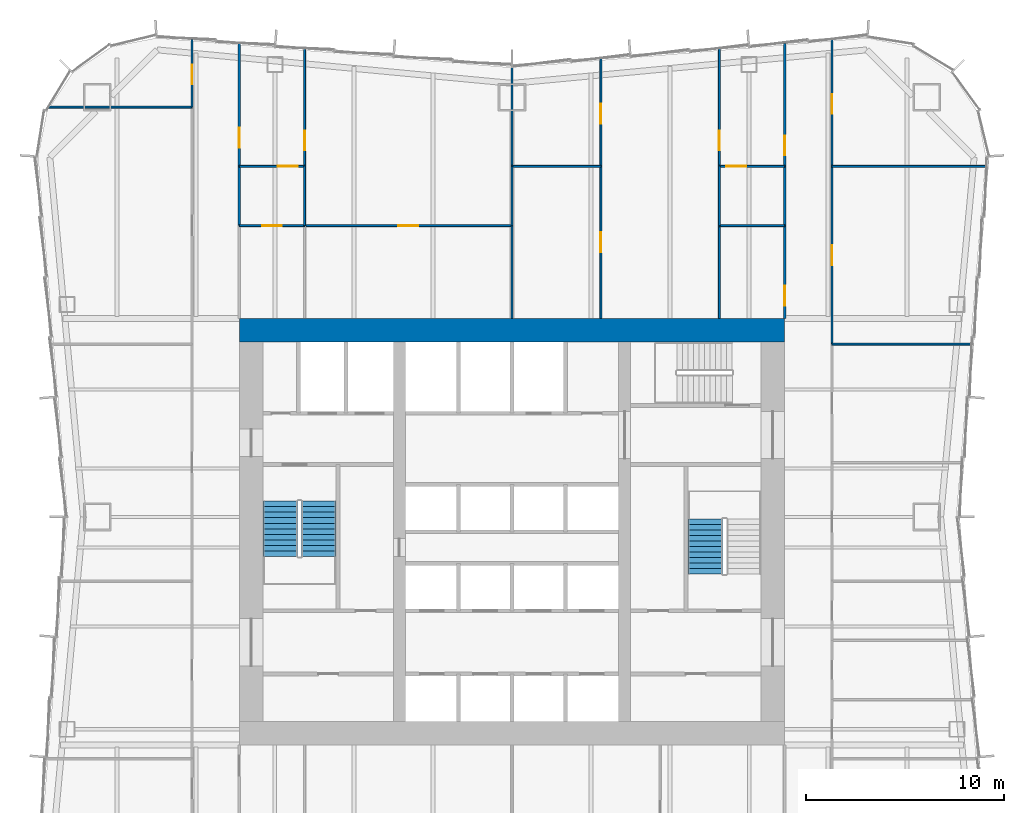
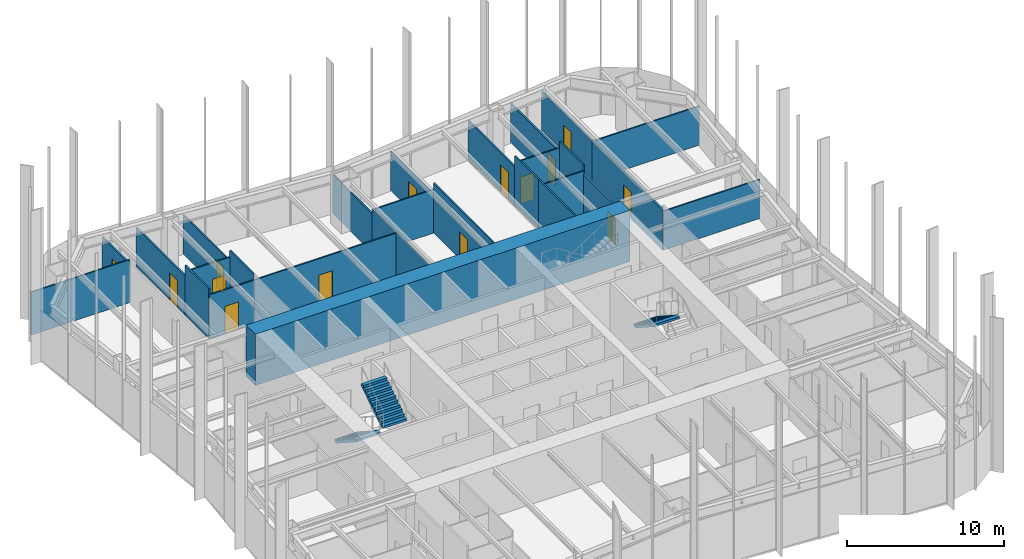
# One storey, part 11 of 13: 28 walls, 14 doors, 3 stair flights, 14 openings, 2 elements without a shape of their own.
"""IFC4 building model written with IfcOpenShell, lengths in metres."""

from ifc_helpers import new_model, si_unit, direction, frame, frame_2d, origin, place, context, subcontext, project, spatial, polyline, rectangle, outline, extrude, material, layer, layer_set, type_object, element, fill, aggregate, save


model = new_model("IFC4")

# Units and contexts
model_context = context("Model", 3, precision=1e-05, world=origin(), true_north=direction((0.0, 1.0)))
body_context = subcontext(model_context, "Body", "Model", "MODEL_VIEW")
ifc_project = project(units=[si_unit("LENGTHUNIT", "METRE"), si_unit("AREAUNIT", "SQUARE_METRE"), si_unit("VOLUMEUNIT", "CUBIC_METRE"), si_unit("PLANEANGLEUNIT", "RADIAN"), si_unit("MASSUNIT", "GRAM", prefix="KILO")], contexts=[model_context])

# Site, building, storey
site_placement = place(None, origin())
site = spatial("IfcSite", under=ifc_project, at=site_placement, CompositionType="ELEMENT")
building_placement = place(site_placement, origin())
building = spatial("IfcBuilding", under=site, at=building_placement, Name="Verdant Reach Tower", CompositionType="ELEMENT")
storey_placement = place(building_placement, frame((0.0, 0.0, 82.0)))
storey = spatial("IfcBuildingStorey", under=building, at=storey_placement, Name="L18", CompositionType="ELEMENT", Elevation=82.0)

# Walls
ifc_material_1 = material(Name="Gypsum board on steel studs", Category="steel")
ifc_layer_1 = layer(ifc_material_1, 0.10009765625)
ifc_layer_set_1 = layer_set([ifc_layer_1], Name="FL-W1 Partition 100")
wall_type_1 = type_object("IfcWallType", Name="FL-W1 Partition 100", PredefinedType="PARTITIONING", material=ifc_layer_set_1)
wall_1_placement = place(storey_placement, frame((-16.199951171875, 49.5, 0.0), z_axis=(0.0, 0.0, 1.0), x_axis=(-1.0, 0.0, 0.0)))
element("IfcWall", 1, at=wall_1_placement, inside=storey, type_object=wall_type_1, Name="Partition 18.32", PredefinedType="PARTITIONING", context=body_context, shape_type="SweptSolid", body=[
    extrude(rectangle(XDim=7.287109375, YDim=0.10009765625, at=frame_2d((3.6435546875, 0.0))), origin(), (0.0, 0.0, 1.0), 3.340087890625),
])
wall_2_placement = place(storey_placement, frame((23.29931640625, 37.5, 0.0), z_axis=(0.0, 0.0, 1.0), x_axis=(-1.0, 0.0, 0.0)))
element("IfcWall", 2, at=wall_2_placement, inside=storey, type_object=wall_type_1, Name="Partition 18.39", PredefinedType="PARTITIONING", context=body_context, shape_type="SweptSolid", body=[
    extrude(rectangle(XDim=7.099365234375, YDim=0.10009765625, at=frame_2d((3.5498046875, 0.0))), origin(), (0.0, 0.0, 1.0), 3.0400390625),
])
wall_3_placement = place(storey_placement, frame((24.038818359375, 46.5, 0.0), z_axis=(0.0, 0.0, 1.0), x_axis=(-1.0, 0.0, 0.0)))
element("IfcWall", 3, at=wall_3_placement, inside=storey, type_object=wall_type_1, Name="Partition 18.40", PredefinedType="PARTITIONING", context=body_context, shape_type="SweptSolid", body=[
    extrude(rectangle(XDim=7.8388671875, YDim=0.10009765625, at=frame_2d((3.91943359375, 0.0))), origin(), (0.0, 0.0, 1.0), 3.0400390625),
])

# Wall, opening, door
wall_4_placement = place(storey_placement, frame((-10.5, 43.5, 0.0), z_axis=(0.0, 0.0, 1.0), x_axis=(-1.0, 0.0, 0.0)))
wall_4 = element("IfcWall", 4, at=wall_4_placement, inside=storey, type_object=wall_type_1, Name="Partition 18.56", PredefinedType="PARTITIONING", context=body_context, shape_type="SweptSolid", body=[
    extrude(rectangle(XDim=3.300048828125, YDim=0.10009765625, at=frame_2d((1.64990234375, 0.0))), origin(), (0.0, 0.0, 1.0), 3.389892578125),
])
opening_1_placement = place(wall_4_placement, frame((1.14990234375, 0.0, 0.0)))
opening_1 = element("IfcOpeningElement", 5, at=opening_1_placement, cuts=wall_4, Name="Opening D3", PredefinedType="OPENING", context=body_context, shape_type="SweptSolid", body=[
    extrude(rectangle(XDim=1.0, YDim=2.10009765625, at=frame_2d((0.5, 1.050048828125))), frame((0.0, 0.06005859375, 0.0), z_axis=(0.0, -1.0, 0.0), x_axis=(1.0, 0.0, 0.0)), (0.0, 0.0, 1.0), 0.1201171875),
])
ifc_material_2 = material(Name="Painted timber door leaf", Category="wood")
door_type_1 = type_object("IfcDoorType", Name="FL-D3 Door 1000x2100", OperationType="NOTDEFINED", PredefinedType="DOOR", material=ifc_material_2)
door_1_placement = place(opening_1_placement, origin())
door_1 = element("IfcDoor", 6, at=door_1_placement, inside=storey, type_object=door_type_1, Name="Door 18-029", OperationType="SINGLE_SWING_LEFT", OverallHeight=2.10009765625, OverallWidth=1.0, PredefinedType="DOOR", context=body_context, shape_type="SweptSolid", body=[
    extrude(rectangle(XDim=1.0, YDim=2.10009765625, at=frame_2d((0.5, 1.050048828125))), frame((0.0, 0.02490234375, 0.0), z_axis=(0.0, -1.0, 0.0), x_axis=(1.0, 0.0, 0.0)), (0.0, 0.0, 1.0), 0.050048828125),
])
fill(opening_1, door_1)

wall_5_placement = place(storey_placement, frame((-10.5, 46.5, 0.0), z_axis=(0.0, 0.0, 1.0), x_axis=(-1.0, 0.0, 0.0)))
wall_5 = element("IfcWall", 7, at=wall_5_placement, inside=storey, type_object=wall_type_1, Name="Partition 18.58", PredefinedType="PARTITIONING", context=body_context, shape_type="SweptSolid", body=[
    extrude(rectangle(XDim=3.300048828125, YDim=0.10009765625, at=frame_2d((1.64990234375, 0.0))), origin(), (0.0, 0.0, 1.0), 3.389892578125),
])
opening_2_placement = place(wall_5_placement, frame((0.35009765625, 0.0, 0.0)))
opening_2 = element("IfcOpeningElement", 8, at=opening_2_placement, cuts=wall_5, Name="Opening D3", PredefinedType="OPENING", context=body_context, shape_type="SweptSolid", body=[
    extrude(rectangle(XDim=1.0, YDim=2.10009765625, at=frame_2d((0.5, 1.050048828125))), frame((0.0, 0.06005859375, 0.0), z_axis=(0.0, -1.0, 0.0), x_axis=(1.0, 0.0, 0.0)), (0.0, 0.0, 1.0), 0.1201171875),
])
door_2_placement = place(opening_2_placement, origin())
door_2 = element("IfcDoor", 9, at=door_2_placement, inside=storey, type_object=door_type_1, Name="Door 18-030", OperationType="SINGLE_SWING_LEFT", OverallHeight=2.10009765625, OverallWidth=1.0, PredefinedType="DOOR", context=body_context, shape_type="SweptSolid", body=[
    extrude(rectangle(XDim=1.0, YDim=2.10009765625, at=frame_2d((0.5, 1.050048828125))), frame((0.0, 0.02490234375, 0.0), z_axis=(0.0, -1.0, 0.0), x_axis=(1.0, 0.0, 0.0)), (0.0, 0.0, 1.0), 0.050048828125),
])
fill(opening_2, door_2)

# Wall
wall_6_placement = place(storey_placement, frame((-10.5, 43.5, 0.0), z_axis=(0.0, 0.0, 1.0), x_axis=(0.0, 1.0, 0.0)))
element("IfcWall", 10, at=wall_6_placement, inside=storey, type_object=wall_type_1, Name="Partition 18.59", PredefinedType="PARTITIONING", context=body_context, shape_type="SweptSolid", body=[
    extrude(rectangle(XDim=3.00390625, YDim=0.10009765625, at=frame_2d((1.501953125, 0.0))), origin(), (0.0, 0.0, 1.0), 3.8701171875),
])

# Wall, opening, door
wall_7_placement = place(storey_placement, frame((-10.5, 52.455078125, 0.0), z_axis=(0.0, 0.0, 1.0), x_axis=(0.0, -1.0, 0.0)))
wall_7 = element("IfcWall", 11, at=wall_7_placement, inside=storey, type_object=wall_type_1, Name="Partition 18.60", PredefinedType="PARTITIONING", context=body_context, shape_type="SweptSolid", body=[
    extrude(rectangle(XDim=5.958984375, YDim=0.10009765625, at=frame_2d((2.9794921875, 0.0))), origin(), (0.0, 0.0, 1.0), 3.0400390625),
])
opening_3_placement = place(wall_7_placement, frame((4.14453125, 0.0, 0.0)))
opening_3 = element("IfcOpeningElement", 12, at=opening_3_placement, cuts=wall_7, Name="Opening D3", PredefinedType="OPENING", context=body_context, shape_type="SweptSolid", body=[
    extrude(rectangle(XDim=1.0, YDim=2.10009765625, at=frame_2d((0.5, 1.050048828125))), frame((0.0, 0.06005859375, 0.0), z_axis=(0.0, -1.0, 0.0), x_axis=(1.0, 0.0, 0.0)), (0.0, 0.0, 1.0), 0.1201171875),
])
door_3_placement = place(opening_3_placement, origin())
door_3 = element("IfcDoor", 13, at=door_3_placement, inside=storey, type_object=door_type_1, Name="Door 18-031", OperationType="SINGLE_SWING_RIGHT", OverallHeight=2.10009765625, OverallWidth=1.0, PredefinedType="DOOR", context=body_context, shape_type="SweptSolid", body=[
    extrude(rectangle(XDim=1.0, YDim=2.10009765625, at=frame_2d((0.5, 1.050048828125))), frame((0.0, 0.02490234375, 0.0), z_axis=(0.0, -1.0, 0.0), x_axis=(1.0, 0.0, 0.0)), (0.0, 0.0, 1.0), 0.050048828125),
])
fill(opening_3, door_3)

wall_8_placement = place(storey_placement, frame((0.0, 43.5, 0.0), z_axis=(0.0, 0.0, 1.0), x_axis=(-1.0, 0.0, 0.0)))
wall_8 = element("IfcWall", 14, at=wall_8_placement, inside=storey, type_object=wall_type_1, Name="Partition 18.61", PredefinedType="PARTITIONING", context=body_context, shape_type="SweptSolid", body=[
    extrude(rectangle(XDim=10.5, YDim=0.10009765625, at=frame_2d((5.25, 0.0))), origin(), (0.0, 0.0, 1.0), 3.389892578125),
])
opening_4_placement = place(wall_8_placement, frame((4.75, 0.0, 0.0)))
opening_4 = element("IfcOpeningElement", 15, at=opening_4_placement, cuts=wall_8, Name="Opening D3", PredefinedType="OPENING", context=body_context, shape_type="SweptSolid", body=[
    extrude(rectangle(XDim=1.0, YDim=2.10009765625, at=frame_2d((0.5, 1.050048828125))), frame((0.0, 0.06005859375, 0.0), z_axis=(0.0, -1.0, 0.0), x_axis=(1.0, 0.0, 0.0)), (0.0, 0.0, 1.0), 0.1201171875),
])
door_4_placement = place(opening_4_placement, origin())
door_4 = element("IfcDoor", 16, at=door_4_placement, inside=storey, type_object=door_type_1, Name="Door 18-032", OperationType="SINGLE_SWING_RIGHT", OverallHeight=2.10009765625, OverallWidth=1.0, PredefinedType="DOOR", context=body_context, shape_type="SweptSolid", body=[
    extrude(rectangle(XDim=1.0, YDim=2.10009765625, at=frame_2d((0.5, 1.050048828125))), frame((0.0, 0.02490234375, 0.0), z_axis=(0.0, -1.0, 0.0), x_axis=(1.0, 0.0, 0.0)), (0.0, 0.0, 1.0), 0.050048828125),
])
fill(opening_4, door_4)

# Walls
wall_9_placement = place(storey_placement, frame((0.0, 38.800048828125, 0.0), z_axis=(0.0, 0.0, 1.0), x_axis=(0.0, 1.0, 0.0)))
element("IfcWall", 17, at=wall_9_placement, inside=storey, type_object=wall_type_1, Name="Partition 18.62", PredefinedType="PARTITIONING", context=body_context, shape_type="SweptSolid", body=[
    extrude(rectangle(XDim=4.703857421875, YDim=0.10009765625, at=frame_2d((2.35205078125, 0.0))), origin(), (0.0, 0.0, 1.0), 3.43994140625),
])
wall_10_placement = place(storey_placement, frame((0.0, 43.49609375, 0.0), z_axis=(0.0, 0.0, 1.0), x_axis=(0.0, 1.0, 0.0)))
element("IfcWall", 18, at=wall_10_placement, inside=storey, type_object=wall_type_1, Name="Partition 18.63", PredefinedType="PARTITIONING", context=body_context, shape_type="SweptSolid", body=[
    extrude(rectangle(XDim=3.00390625, YDim=0.10009765625, at=frame_2d((1.501953125, 0.0))), origin(), (0.0, 0.0, 1.0), 3.43994140625),
])
wall_11_placement = place(storey_placement, frame((0.0, 46.5, 0.0), z_axis=(0.0, 0.0, 1.0), x_axis=(0.0, 1.0, 0.0)))
element("IfcWall", 19, at=wall_11_placement, inside=storey, type_object=wall_type_1, Name="Partition 18.64", PredefinedType="PARTITIONING", context=body_context, shape_type="SweptSolid", body=[
    extrude(rectangle(XDim=5.080078125, YDim=0.10009765625, at=frame_2d((2.5400390625, 0.0))), origin(), (0.0, 0.0, 1.0), 3.0400390625),
])
wall_12_placement = place(storey_placement, frame((13.800048828125, 43.5, 0.0), z_axis=(0.0, 0.0, 1.0), x_axis=(-1.0, 0.0, 0.0)))
element("IfcWall", 20, at=wall_12_placement, inside=storey, type_object=wall_type_1, Name="Partition 18.65", PredefinedType="PARTITIONING", context=body_context, shape_type="SweptSolid", body=[
    extrude(rectangle(XDim=3.300048828125, YDim=0.10009765625, at=frame_2d((1.64990234375, 0.0))), origin(), (0.0, 0.0, 1.0), 3.389892578125),
])
wall_13_placement = place(storey_placement, frame((10.5, 43.50390625, 0.0), z_axis=(0.0, 0.0, 1.0), x_axis=(0.0, -1.0, 0.0)))
element("IfcWall", 21, at=wall_13_placement, inside=storey, type_object=wall_type_1, Name="Partition 18.66", PredefinedType="PARTITIONING", context=body_context, shape_type="SweptSolid", body=[
    extrude(rectangle(XDim=4.703857421875, YDim=0.10009765625, at=frame_2d((2.35205078125, 0.0))), origin(), (0.0, 0.0, 1.0), 3.8701171875),
])

# Wall, opening, door
wall_14_placement = place(storey_placement, frame((13.800048828125, 46.5, 0.0), z_axis=(0.0, 0.0, 1.0), x_axis=(-1.0, 0.0, 0.0)))
wall_14 = element("IfcWall", 22, at=wall_14_placement, inside=storey, type_object=wall_type_1, Name="Partition 18.67", PredefinedType="PARTITIONING", context=body_context, shape_type="SweptSolid", body=[
    extrude(rectangle(XDim=3.300048828125, YDim=0.10009765625, at=frame_2d((1.64990234375, 0.0))), origin(), (0.0, 0.0, 1.0), 3.389892578125),
])
opening_5_placement = place(wall_14_placement, frame((1.949951171875, 0.0, 0.0)))
opening_5 = element("IfcOpeningElement", 23, at=opening_5_placement, cuts=wall_14, Name="Opening D3", PredefinedType="OPENING", context=body_context, shape_type="SweptSolid", body=[
    extrude(rectangle(XDim=1.0, YDim=2.10009765625, at=frame_2d((0.5, 1.050048828125))), frame((0.0, 0.06005859375, 0.0), z_axis=(0.0, -1.0, 0.0), x_axis=(1.0, 0.0, 0.0)), (0.0, 0.0, 1.0), 0.1201171875),
])
door_5_placement = place(opening_5_placement, origin())
door_5 = element("IfcDoor", 24, at=door_5_placement, inside=storey, type_object=door_type_1, Name="Door 18-033", OperationType="SINGLE_SWING_RIGHT", OverallHeight=2.10009765625, OverallWidth=1.0, PredefinedType="DOOR", context=body_context, shape_type="SweptSolid", body=[
    extrude(rectangle(XDim=1.0, YDim=2.10009765625, at=frame_2d((0.5, 1.050048828125))), frame((0.0, 0.02490234375, 0.0), z_axis=(0.0, -1.0, 0.0), x_axis=(1.0, 0.0, 0.0)), (0.0, 0.0, 1.0), 0.050048828125),
])
fill(opening_5, door_5)

# Wall
wall_15_placement = place(storey_placement, frame((10.5, 46.50390625, 0.0), z_axis=(0.0, 0.0, 1.0), x_axis=(0.0, -1.0, 0.0)))
element("IfcWall", 25, at=wall_15_placement, inside=storey, type_object=wall_type_1, Name="Partition 18.68", PredefinedType="PARTITIONING", context=body_context, shape_type="SweptSolid", body=[
    extrude(rectangle(XDim=3.0078125, YDim=0.10009765625, at=frame_2d((1.50390625, 0.0))), origin(), (0.0, 0.0, 1.0), 3.8701171875),
])

# Wall, opening, door
wall_16_placement = place(storey_placement, frame((10.5, 46.49609375, 0.0), z_axis=(0.0, 0.0, 1.0), x_axis=(0.0, 1.0, 0.0)))
wall_16 = element("IfcWall", 26, at=wall_16_placement, inside=storey, type_object=wall_type_1, Name="Partition 18.69", PredefinedType="PARTITIONING", context=body_context, shape_type="SweptSolid", body=[
    extrude(rectangle(XDim=5.958984375, YDim=0.10009765625, at=frame_2d((2.9794921875, 0.0))), origin(), (0.0, 0.0, 1.0), 3.0400390625),
])
opening_6_placement = place(wall_16_placement, frame((0.814453125, 0.0, 0.0)))
opening_6 = element("IfcOpeningElement", 27, at=opening_6_placement, cuts=wall_16, Name="Opening D3", PredefinedType="OPENING", context=body_context, shape_type="SweptSolid", body=[
    extrude(rectangle(XDim=1.0, YDim=2.10009765625, at=frame_2d((0.5, 1.050048828125))), frame((0.0, 0.06005859375, 0.0), z_axis=(0.0, -1.0, 0.0), x_axis=(1.0, 0.0, 0.0)), (0.0, 0.0, 1.0), 0.1201171875),
])
door_6_placement = place(opening_6_placement, origin())
door_6 = element("IfcDoor", 28, at=door_6_placement, inside=storey, type_object=door_type_1, Name="Door 18-034", OperationType="SINGLE_SWING_LEFT", OverallHeight=2.10009765625, OverallWidth=1.0, PredefinedType="DOOR", context=body_context, shape_type="SweptSolid", body=[
    extrude(rectangle(XDim=1.0, YDim=2.10009765625, at=frame_2d((0.5, 1.050048828125))), frame((0.0, 0.02490234375, 0.0), z_axis=(0.0, -1.0, 0.0), x_axis=(1.0, 0.0, 0.0)), (0.0, 0.0, 1.0), 0.050048828125),
])
fill(opening_6, door_6)

wall_17_placement = place(storey_placement, frame((4.5, 38.800048828125, 0.0), z_axis=(0.0, 0.0, 1.0), x_axis=(0.0, 1.0, 0.0)))
wall_17 = element("IfcWall", 29, at=wall_17_placement, inside=storey, type_object=wall_type_1, Name="Partition 18.70", PredefinedType="PARTITIONING", context=body_context, shape_type="SweptSolid", body=[
    extrude(rectangle(XDim=7.699951171875, YDim=0.10009765625, at=frame_2d((3.85009765625, 0.0))), origin(), (0.0, 0.0, 1.0), 3.8701171875),
])
opening_7_placement = place(wall_17_placement, frame((3.35009765625, 0.0, 0.0)))
opening_7 = element("IfcOpeningElement", 30, at=opening_7_placement, cuts=wall_17, Name="Opening D3", PredefinedType="OPENING", context=body_context, shape_type="SweptSolid", body=[
    extrude(rectangle(XDim=1.0, YDim=2.10009765625, at=frame_2d((0.5, 1.050048828125))), frame((0.0, 0.06005859375, 0.0), z_axis=(0.0, -1.0, 0.0), x_axis=(1.0, 0.0, 0.0)), (0.0, 0.0, 1.0), 0.1201171875),
])
door_7_placement = place(opening_7_placement, origin())
door_7 = element("IfcDoor", 31, at=door_7_placement, inside=storey, type_object=door_type_1, Name="Door 18-035", OperationType="SINGLE_SWING_LEFT", OverallHeight=2.10009765625, OverallWidth=1.0, PredefinedType="DOOR", context=body_context, shape_type="SweptSolid", body=[
    extrude(rectangle(XDim=1.0, YDim=2.10009765625, at=frame_2d((0.5, 1.050048828125))), frame((0.0, 0.02490234375, 0.0), z_axis=(0.0, -1.0, 0.0), x_axis=(1.0, 0.0, 0.0)), (0.0, 0.0, 1.0), 0.050048828125),
])
fill(opening_7, door_7)

wall_18_placement = place(storey_placement, frame((4.5, 46.5, 0.0), z_axis=(0.0, 0.0, 1.0), x_axis=(0.0, 1.0, 0.0)))
wall_18 = element("IfcWall", 32, at=wall_18_placement, inside=storey, type_object=wall_type_1, Name="Partition 18.71", PredefinedType="PARTITIONING", context=body_context, shape_type="SweptSolid", body=[
    extrude(rectangle(XDim=5.455078125, YDim=0.10009765625, at=frame_2d((2.7275390625, 0.0))), origin(), (0.0, 0.0, 1.0), 3.0400390625),
])
opening_8_placement = place(wall_18_placement, frame((2.162353515625, 0.0, 0.0)))
opening_8 = element("IfcOpeningElement", 33, at=opening_8_placement, cuts=wall_18, Name="Opening D3", PredefinedType="OPENING", context=body_context, shape_type="SweptSolid", body=[
    extrude(rectangle(XDim=1.0, YDim=2.10009765625, at=frame_2d((0.5, 1.050048828125))), frame((0.0, 0.06005859375, 0.0), z_axis=(0.0, -1.0, 0.0), x_axis=(1.0, 0.0, 0.0)), (0.0, 0.0, 1.0), 0.1201171875),
])
door_8_placement = place(opening_8_placement, origin())
door_8 = element("IfcDoor", 34, at=door_8_placement, inside=storey, type_object=door_type_1, Name="Door 18-036", OperationType="SINGLE_SWING_LEFT", OverallHeight=2.10009765625, OverallWidth=1.0, PredefinedType="DOOR", context=body_context, shape_type="SweptSolid", body=[
    extrude(rectangle(XDim=1.0, YDim=2.10009765625, at=frame_2d((0.5, 1.050048828125))), frame((0.0, 0.02490234375, 0.0), z_axis=(0.0, -1.0, 0.0), x_axis=(1.0, 0.0, 0.0)), (0.0, 0.0, 1.0), 0.050048828125),
])
fill(opening_8, door_8)

# Wall
wall_19_placement = place(storey_placement, frame((4.5, 46.5, 0.0), z_axis=(0.0, 0.0, 1.0), x_axis=(-1.0, 0.0, 0.0)))
element("IfcWall", 35, at=wall_19_placement, inside=storey, type_object=wall_type_1, Name="Partition 18.72", PredefinedType="PARTITIONING", context=body_context, shape_type="SweptSolid", body=[
    extrude(rectangle(XDim=4.5, YDim=0.10009765625, at=frame_2d((2.25, 0.0))), origin(), (0.0, 0.0, 1.0), 3.389892578125),
])

# Wall, opening, door
ifc_material_3 = material(Name="Gypsum board on steel studs, fire rated", Category="steel")
ifc_layer_2 = layer(ifc_material_3, 0.125)
ifc_layer_set_2 = layer_set([ifc_layer_2], Name="FL-W2 Corridor wall 125")
wall_type_2 = type_object("IfcWallType", Name="FL-W2 Corridor wall 125", PredefinedType="PARTITIONING", material=ifc_layer_set_2)
wall_20_placement = place(storey_placement, frame((-16.199951171875, 49.5, 0.0), z_axis=(0.0, 0.0, 1.0), x_axis=(0.0, 1.0, 0.0)))
wall_20 = element("IfcWall", 36, at=wall_20_placement, inside=storey, type_object=wall_type_2, Name="Partition 18.06", PredefinedType="PARTITIONING", context=body_context, shape_type="SweptSolid", body=[
    extrude(rectangle(XDim=3.429931640625, YDim=0.125, at=frame_2d((1.71484375, 0.0))), origin(), (0.0, 0.0, 1.0), 3.0400390625),
])
opening_9_placement = place(wall_20_placement, frame((1.14990234375, 0.0, 0.0)))
opening_9 = element("IfcOpeningElement", 37, at=opening_9_placement, cuts=wall_20, Name="Opening D2", PredefinedType="OPENING", context=body_context, shape_type="SweptSolid", body=[
    extrude(rectangle(XDim=1.0, YDim=2.10009765625, at=frame_2d((0.5, 1.050048828125))), frame((0.0, 0.072509765625, 0.0), z_axis=(0.0, -1.0, 0.0), x_axis=(1.0, 0.0, 0.0)), (0.0, 0.0, 1.0), 0.14501953125),
])
ifc_material_4 = material(Name="Timber door leaf, fire rated", Category="wood")
door_type_2 = type_object("IfcDoorType", Name="FL-D2 Entrance door 1000x2100 FD30", OperationType="NOTDEFINED", PredefinedType="DOOR", material=ifc_material_4)
door_9_placement = place(opening_9_placement, origin())
door_9 = element("IfcDoor", 38, at=door_9_placement, inside=storey, type_object=door_type_2, Name="Door 18-006", OperationType="SINGLE_SWING_LEFT", OverallHeight=2.10009765625, OverallWidth=1.0, PredefinedType="DOOR", context=body_context, shape_type="SweptSolid", body=[
    extrude(rectangle(XDim=1.0, YDim=2.10009765625, at=frame_2d((0.5, 1.050048828125))), frame((0.0, 0.02490234375, 0.0), z_axis=(0.0, -1.0, 0.0), x_axis=(1.0, 0.0, 0.0)), (0.0, 0.0, 1.0), 0.050048828125),
])
fill(opening_9, door_9)

# Wall
wall_21_placement = place(storey_placement, frame((-13.800048828125, 43.5, 0.0), z_axis=(0.0, 0.0, 1.0), x_axis=(0.0, 1.0, 0.0)))
element("IfcWall", 39, at=wall_21_placement, inside=storey, type_object=wall_type_2, Name="Partition 18.11", PredefinedType="PARTITIONING", context=body_context, shape_type="SweptSolid", body=[
    extrude(rectangle(XDim=3.0, YDim=0.125, at=frame_2d((1.5, 0.0))), origin(), (0.0, 0.0, 1.0), 3.8701171875),
])

# Wall, opening, door
wall_22_placement = place(storey_placement, frame((-13.800048828125, 52.72998046875, 0.0), z_axis=(0.0, 0.0, 1.0), x_axis=(0.0, -1.0, 0.0)))
wall_22 = element("IfcWall", 40, at=wall_22_placement, inside=storey, type_object=wall_type_2, Name="Partition 18.12", PredefinedType="PARTITIONING", context=body_context, shape_type="SweptSolid", body=[
    extrude(rectangle(XDim=6.22998046875, YDim=0.125, at=frame_2d((3.114990234375, 0.0))), origin(), (0.0, 0.0, 1.0), 3.0400390625),
])
opening_10_placement = place(wall_22_placement, frame((4.280029296875, 0.0, 0.0)))
opening_10 = element("IfcOpeningElement", 41, at=opening_10_placement, cuts=wall_22, Name="Opening D2", PredefinedType="OPENING", context=body_context, shape_type="SweptSolid", body=[
    extrude(rectangle(XDim=1.0, YDim=2.10009765625, at=frame_2d((0.5, 1.050048828125))), frame((0.0, 0.072509765625, 0.0), z_axis=(0.0, -1.0, 0.0), x_axis=(1.0, 0.0, 0.0)), (0.0, 0.0, 1.0), 0.14501953125),
])
door_10_placement = place(opening_10_placement, origin())
door_10 = element("IfcDoor", 42, at=door_10_placement, inside=storey, type_object=door_type_2, Name="Door 18-009", OperationType="SINGLE_SWING_RIGHT", OverallHeight=2.10009765625, OverallWidth=1.0, PredefinedType="DOOR", context=body_context, shape_type="SweptSolid", body=[
    extrude(rectangle(XDim=1.0, YDim=2.10009765625, at=frame_2d((0.5, 1.050048828125))), frame((0.0, 0.02490234375, 0.0), z_axis=(0.0, -1.0, 0.0), x_axis=(1.0, 0.0, 0.0)), (0.0, 0.0, 1.0), 0.050048828125),
])
fill(opening_10, door_10)

wall_23_placement = place(storey_placement, frame((16.199951171875, 46.5, 0.0), z_axis=(0.0, 0.0, 1.0), x_axis=(0.0, -1.0, 0.0)))
wall_23 = element("IfcWall", 43, at=wall_23_placement, inside=storey, type_object=wall_type_2, Name="Partition 18.20", PredefinedType="PARTITIONING", context=body_context, shape_type="SweptSolid", body=[
    extrude(rectangle(XDim=9.0, YDim=0.125, at=frame_2d((4.5, 0.0))), origin(), (0.0, 0.0, 1.0), 3.139892578125),
])
opening_11_placement = place(wall_23_placement, frame((4.0, 0.0, 0.0)))
opening_11 = element("IfcOpeningElement", 44, at=opening_11_placement, cuts=wall_23, Name="Opening D2", PredefinedType="OPENING", context=body_context, shape_type="SweptSolid", body=[
    extrude(rectangle(XDim=1.0, YDim=2.10009765625, at=frame_2d((0.5, 1.050048828125))), frame((0.0, 0.072509765625, 0.0), z_axis=(0.0, -1.0, 0.0), x_axis=(1.0, 0.0, 0.0)), (0.0, 0.0, 1.0), 0.14501953125),
])
door_11_placement = place(opening_11_placement, origin())
door_11 = element("IfcDoor", 45, at=door_11_placement, inside=storey, type_object=door_type_2, Name="Door 18-017", OperationType="SINGLE_SWING_LEFT", OverallHeight=2.10009765625, OverallWidth=1.0, PredefinedType="DOOR", context=body_context, shape_type="SweptSolid", body=[
    extrude(rectangle(XDim=1.0, YDim=2.10009765625, at=frame_2d((0.5, 1.050048828125))), frame((0.0, 0.02490234375, 0.0), z_axis=(0.0, -1.0, 0.0), x_axis=(1.0, 0.0, 0.0)), (0.0, 0.0, 1.0), 0.050048828125),
])
fill(opening_11, door_11)

wall_24_placement = place(storey_placement, frame((16.199951171875, 52.929931640625, 0.0), z_axis=(0.0, 0.0, 1.0), x_axis=(0.0, -1.0, 0.0)))
wall_24 = element("IfcWall", 46, at=wall_24_placement, inside=storey, type_object=wall_type_2, Name="Partition 18.21", PredefinedType="PARTITIONING", context=body_context, shape_type="SweptSolid", body=[
    extrude(rectangle(XDim=6.429931640625, YDim=0.125, at=frame_2d((3.21484375, 0.0))), origin(), (0.0, 0.0, 1.0), 3.0400390625),
])
opening_12_placement = place(wall_24_placement, frame((2.780029296875, 0.0, 0.0)))
opening_12 = element("IfcOpeningElement", 47, at=opening_12_placement, cuts=wall_24, Name="Opening D2", PredefinedType="OPENING", context=body_context, shape_type="SweptSolid", body=[
    extrude(rectangle(XDim=1.0, YDim=2.10009765625, at=frame_2d((0.5, 1.050048828125))), frame((0.0, 0.072509765625, 0.0), z_axis=(0.0, -1.0, 0.0), x_axis=(1.0, 0.0, 0.0)), (0.0, 0.0, 1.0), 0.14501953125),
])
door_12_placement = place(opening_12_placement, origin())
door_12 = element("IfcDoor", 48, at=door_12_placement, inside=storey, type_object=door_type_2, Name="Door 18-018", OperationType="SINGLE_SWING_RIGHT", OverallHeight=2.10009765625, OverallWidth=1.0, PredefinedType="DOOR", context=body_context, shape_type="SweptSolid", body=[
    extrude(rectangle(XDim=1.0, YDim=2.10009765625, at=frame_2d((0.5, 1.050048828125))), frame((0.0, 0.02490234375, 0.0), z_axis=(0.0, -1.0, 0.0), x_axis=(1.0, 0.0, 0.0)), (0.0, 0.0, 1.0), 0.050048828125),
])
fill(opening_12, door_12)

wall_25_placement = place(storey_placement, frame((13.800048828125, 38.800048828125, 0.0), z_axis=(0.0, 0.0, 1.0), x_axis=(0.0, 1.0, 0.0)))
wall_25 = element("IfcWall", 49, at=wall_25_placement, inside=storey, type_object=wall_type_2, Name="Partition 18.25", PredefinedType="PARTITIONING", context=body_context, shape_type="SweptSolid", body=[
    extrude(rectangle(XDim=4.699951171875, YDim=0.125, at=frame_2d((2.35009765625, 0.0))), origin(), (0.0, 0.0, 1.0), 3.139892578125),
])
opening_13_placement = place(wall_25_placement, frame((0.64990234375, 0.0, 0.0)))
opening_13 = element("IfcOpeningElement", 50, at=opening_13_placement, cuts=wall_25, Name="Opening D2", PredefinedType="OPENING", context=body_context, shape_type="SweptSolid", body=[
    extrude(rectangle(XDim=1.0, YDim=2.10009765625, at=frame_2d((0.5, 1.050048828125))), frame((0.0, 0.072509765625, 0.0), z_axis=(0.0, -1.0, 0.0), x_axis=(1.0, 0.0, 0.0)), (0.0, 0.0, 1.0), 0.14501953125),
])
door_13_placement = place(opening_13_placement, origin())
door_13 = element("IfcDoor", 51, at=door_13_placement, inside=storey, type_object=door_type_2, Name="Door 18-021", OperationType="SINGLE_SWING_LEFT", OverallHeight=2.10009765625, OverallWidth=1.0, PredefinedType="DOOR", context=body_context, shape_type="SweptSolid", body=[
    extrude(rectangle(XDim=1.0, YDim=2.10009765625, at=frame_2d((0.5, 1.050048828125))), frame((0.0, 0.02490234375, 0.0), z_axis=(0.0, -1.0, 0.0), x_axis=(1.0, 0.0, 0.0)), (0.0, 0.0, 1.0), 0.050048828125),
])
fill(opening_13, door_13)

# Wall
wall_26_placement = place(storey_placement, frame((13.800048828125, 46.5, 0.0), z_axis=(0.0, 0.0, 1.0), x_axis=(0.0, -1.0, 0.0)))
element("IfcWall", 52, at=wall_26_placement, inside=storey, type_object=wall_type_2, Name="Partition 18.26", PredefinedType="PARTITIONING", context=body_context, shape_type="SweptSolid", body=[
    extrude(rectangle(XDim=3.0, YDim=0.125, at=frame_2d((1.5, 0.0))), origin(), (0.0, 0.0, 1.0), 3.8701171875),
])

# Wall, opening, door
wall_27_placement = place(storey_placement, frame((13.800048828125, 46.5, 0.0), z_axis=(0.0, 0.0, 1.0), x_axis=(0.0, 1.0, 0.0)))
wall_27 = element("IfcWall", 53, at=wall_27_placement, inside=storey, type_object=wall_type_2, Name="Partition 18.27", PredefinedType="PARTITIONING", context=body_context, shape_type="SweptSolid", body=[
    extrude(rectangle(XDim=6.22998046875, YDim=0.125, at=frame_2d((3.114990234375, 0.0))), origin(), (0.0, 0.0, 1.0), 3.0400390625),
])
opening_14_placement = place(wall_27_placement, frame((0.5498046875, 0.0, 0.0)))
opening_14 = element("IfcOpeningElement", 54, at=opening_14_placement, cuts=wall_27, Name="Opening D2", PredefinedType="OPENING", context=body_context, shape_type="SweptSolid", body=[
    extrude(rectangle(XDim=1.0, YDim=2.10009765625, at=frame_2d((0.5, 1.050048828125))), frame((0.0, 0.072509765625, 0.0), z_axis=(0.0, -1.0, 0.0), x_axis=(1.0, 0.0, 0.0)), (0.0, 0.0, 1.0), 0.14501953125),
])
door_14_placement = place(opening_14_placement, origin())
door_14 = element("IfcDoor", 55, at=door_14_placement, inside=storey, type_object=door_type_2, Name="Door 18-022", OperationType="SINGLE_SWING_LEFT", OverallHeight=2.10009765625, OverallWidth=1.0, PredefinedType="DOOR", context=body_context, shape_type="SweptSolid", body=[
    extrude(rectangle(XDim=1.0, YDim=2.10009765625, at=frame_2d((0.5, 1.050048828125))), frame((0.0, 0.02490234375, 0.0), z_axis=(0.0, -1.0, 0.0), x_axis=(1.0, 0.0, 0.0)), (0.0, 0.0, 1.0), 0.050048828125),
])
fill(opening_14, door_14)

# Wall
ifc_material_5 = material(Name="Concrete C70/85", Category="concrete")
ifc_layer_3 = layer(ifc_material_5, 1.199951171875)
ifc_layer_set_3 = layer_set([ifc_layer_3], Name="ST-CORE-WALL-1200")
wall_type_3 = type_object("IfcWallType", Name="ST-CORE-WALL-1200", PredefinedType="SHEAR", material=ifc_layer_set_3)
wall_28_placement = place(storey_placement, frame((-13.800048828125, 38.199951171875, -0.1298828125), z_axis=(0.0, 0.0, 1.0), x_axis=(1.0, 0.0, 0.0)))
element("IfcWall", 56, at=wall_28_placement, inside=storey, type_object=wall_type_3, Name="Core wall N, L18", PredefinedType="SHEAR", context=body_context, shape_type="SweptSolid", body=[
    extrude(rectangle(XDim=27.60009765625, YDim=1.199951171875, at=frame_2d((13.800048828125, 0.0))), origin(), (0.0, 0.0, 1.0), 4.0),
])

# Stair, stair flights
ifc_material_6 = material(Name="Concrete C40/50", Category="concrete")
stair_type = type_object("IfcStairType", Name="CO-STAIR", PredefinedType="HALF_TURN_STAIR", material=ifc_material_6)
stair_1_placement = place(storey_placement, origin())
stair_1 = element("IfcStair", 57, at=stair_1_placement, inside=storey, type_object=stair_type, Name="L18 Exit stair 1", PredefinedType="HALF_TURN_STAIR")
stair_flight_type = type_object("IfcStairFlightType", Name="CO-STAIR-FLIGHT", PredefinedType="STRAIGHT", material=ifc_material_6)
stair_flight_1_placement = place(storey_placement, frame((-11.72509765625, 29.550048828125, 0.0), z_axis=(0.0, 0.0, 1.0), x_axis=(0.0, -1.0, 0.0)))
stair_flight_1 = element("IfcStairFlight", 58, at=stair_flight_1_placement, type_object=stair_flight_type, Name="ST-1 flight 1", NumberOfRisers=11, NumberOfTreads=10, PredefinedType="STRAIGHT", RiserHeight=0.181818182, TreadLength=0.28, context=body_context, shape_type="SweptSolid", body=[
    extrude(outline(polyline([(0.0, 0.0), (0.0, 0.181884765625), (0.280029296875, 0.181884765625), (0.280029296875, 0.363525390625), (0.56005859375, 0.363525390625), (0.56005859375, 0.54541015625), (0.840087890625, 0.54541015625), (0.840087890625, 0.727294921875), (1.1201171875, 0.727294921875), (1.1201171875, 0.9091796875), (1.39990234375, 0.9091796875), (1.39990234375, 1.0908203125), (1.679931640625, 1.0908203125), (1.679931640625, 1.272705078125), (1.9599609375, 1.272705078125), (1.9599609375, 1.45458984375), (2.239990234375, 1.45458984375), (2.239990234375, 1.636474609375), (2.52001953125, 1.636474609375), (2.52001953125, 1.818115234375), (2.800048828125, 1.818115234375), (2.800048828125, 2.0), (2.800048828125, 1.639404296875), (0.275146484375, 0.0), (0.0, 0.0)])), frame((0.0, 0.875, 0.0), z_axis=(0.0, -1.0, 0.0), x_axis=(1.0, 0.0, 0.0)), (0.0, 0.0, 1.0), 1.75),
])
stair_flight_2_placement = place(storey_placement, frame((-9.77490234375, 26.75, 2.0), z_axis=(0.0, 0.0, 1.0), x_axis=(0.0, 1.0, 0.0)))
stair_flight_2 = element("IfcStairFlight", 59, at=stair_flight_2_placement, type_object=stair_flight_type, Name="ST-1 flight 2", NumberOfRisers=11, NumberOfTreads=10, PredefinedType="STRAIGHT", RiserHeight=0.181818182, TreadLength=0.28, context=body_context, shape_type="SweptSolid", body=[
    extrude(outline(polyline([(0.0, 0.0), (0.0, 0.181884765625), (0.280029296875, 0.181884765625), (0.280029296875, 0.363525390625), (0.56005859375, 0.363525390625), (0.56005859375, 0.54541015625), (0.840087890625, 0.54541015625), (0.840087890625, 0.727294921875), (1.1201171875, 0.727294921875), (1.1201171875, 0.9091796875), (1.39990234375, 0.9091796875), (1.39990234375, 1.0908203125), (1.679931640625, 1.0908203125), (1.679931640625, 1.272705078125), (1.9599609375, 1.272705078125), (1.9599609375, 1.45458984375), (2.239990234375, 1.45458984375), (2.239990234375, 1.636474609375), (2.52001953125, 1.636474609375), (2.52001953125, 1.818115234375), (2.800048828125, 1.818115234375), (2.800048828125, 2.0), (2.800048828125, 1.639404296875), (0.275146484375, 0.0), (0.0, 0.0)])), frame((0.0, 0.875, 0.0), z_axis=(0.0, -1.0, 0.0), x_axis=(1.0, 0.0, 0.0)), (0.0, 0.0, 1.0), 1.75),
])
aggregate(stair_1, [stair_flight_1, stair_flight_2])

# Stair, stair flight
stair_2_placement = place(storey_placement, origin())
stair_2 = element("IfcStair", 60, at=stair_2_placement, inside=storey, type_object=stair_type, Name="L18 Exit stair 2", PredefinedType="HALF_TURN_STAIR")
stair_flight_3_placement = place(storey_placement, frame((9.77490234375, 28.64990234375, 2.0), z_axis=(0.0, 0.0, 1.0), x_axis=(0.0, -1.0, 0.0)))
stair_flight_3 = element("IfcStairFlight", 61, at=stair_flight_3_placement, type_object=stair_flight_type, Name="ST-2 flight 2", NumberOfRisers=11, NumberOfTreads=10, PredefinedType="STRAIGHT", RiserHeight=0.181818182, TreadLength=0.28, context=body_context, shape_type="SweptSolid", body=[
    extrude(outline(polyline([(0.0, 0.0), (0.0, 0.181884765625), (0.280029296875, 0.181884765625), (0.280029296875, 0.363525390625), (0.56005859375, 0.363525390625), (0.56005859375, 0.54541015625), (0.840087890625, 0.54541015625), (0.840087890625, 0.727294921875), (1.1201171875, 0.727294921875), (1.1201171875, 0.9091796875), (1.39990234375, 0.9091796875), (1.39990234375, 1.0908203125), (1.679931640625, 1.0908203125), (1.679931640625, 1.272705078125), (1.9599609375, 1.272705078125), (1.9599609375, 1.45458984375), (2.239990234375, 1.45458984375), (2.239990234375, 1.636474609375), (2.52001953125, 1.636474609375), (2.52001953125, 1.818115234375), (2.800048828125, 1.818115234375), (2.800048828125, 2.0), (2.800048828125, 1.639404296875), (0.275146484375, 0.0), (0.0, 0.0)])), frame((0.0, 0.875, 0.0), z_axis=(0.0, -1.0, 0.0), x_axis=(1.0, 0.0, 0.0)), (0.0, 0.0, 1.0), 1.75),
])
aggregate(stair_2, [stair_flight_3])

save(model, "model.ifc")
